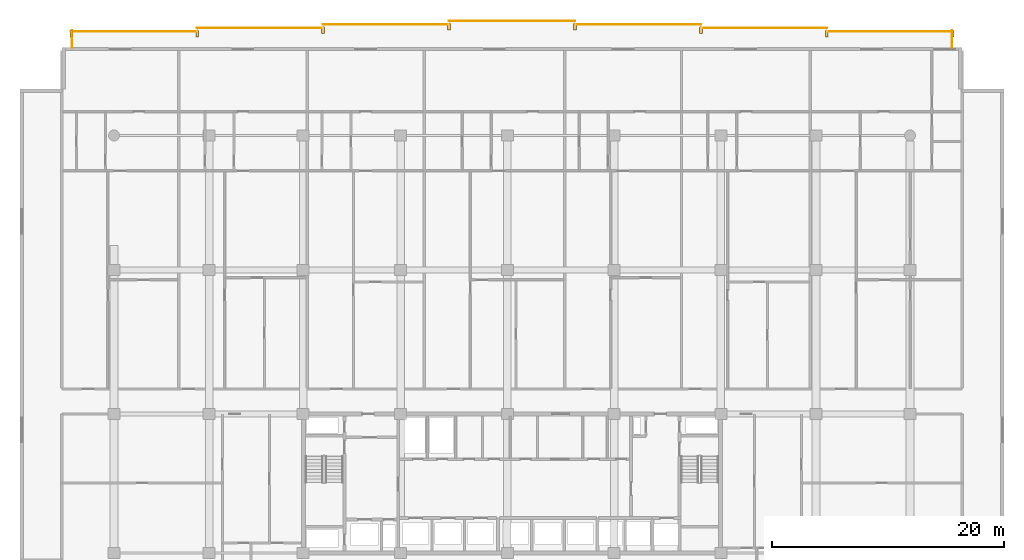
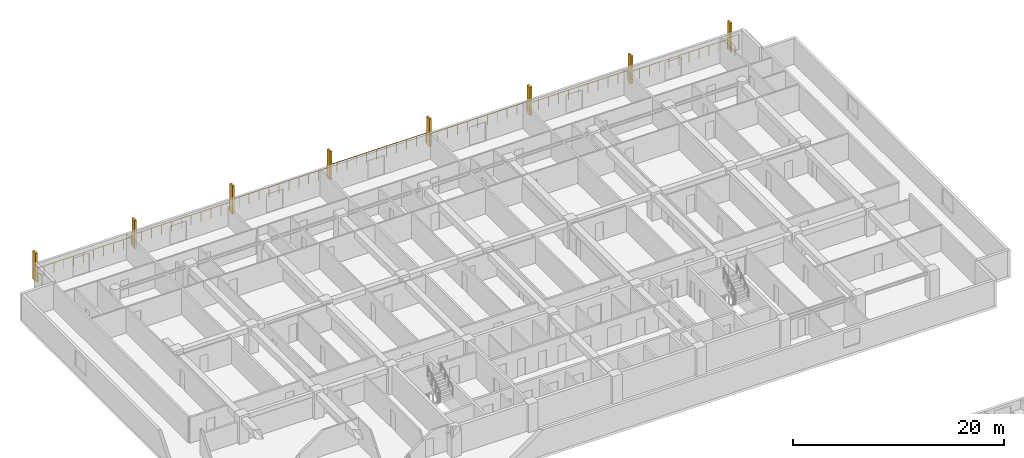
# One storey, part 23 of 23: 9 railings, 8 shading devices.
"""IFC4 building model written with IfcOpenShell, lengths in metres."""

from ifc_helpers import new_model, si_unit, direction, frame, origin, origin_2d, place, context, subcontext, project, spatial, rectangle, circle, extrude, material, type_object, element, save


model = new_model("IFC4")

# Units and contexts
model_context = context("Model", 3, precision=1e-05, world=origin(), true_north=direction((0.0, 1.0)))
body_context = subcontext(model_context, "Body", "Model", "MODEL_VIEW")
ifc_project = project(units=[si_unit("LENGTHUNIT", "METRE"), si_unit("AREAUNIT", "SQUARE_METRE"), si_unit("VOLUMEUNIT", "CUBIC_METRE"), si_unit("PLANEANGLEUNIT", "RADIAN"), si_unit("MASSUNIT", "GRAM", prefix="KILO")], contexts=[model_context])

# Site, building, storey
site_placement = place(None, origin())
site = spatial("IfcSite", under=ifc_project, at=site_placement, CompositionType="ELEMENT")
building_placement = place(site_placement, origin())
building = spatial("IfcBuilding", under=site, at=building_placement, Name="Korimba Cascade Residences", CompositionType="ELEMENT")
storey_placement = place(building_placement, frame((0.0, 0.0, 30.5)))
storey = spatial("IfcBuildingStorey", under=building, at=storey_placement, Name="L07", CompositionType="ELEMENT", Elevation=30.5)

# Railings
ifc_material_1 = material(Name="Laminated Glass and Bronze Balustrade", Category="glass")
railing_type = type_object("IfcRailingType", Name="RLG-LOG-1150", PredefinedType="BALUSTRADE", material=ifc_material_1)
railing_1_placement = place(storey_placement, frame((132.02001953125, 98.800048828125, 0.0)))
element("IfcRailing", 1, at=railing_1_placement, inside=storey, type_object=railing_type, Name="L07 Perimeter Guardrail RLG-L07-T1-LOG-01", PredefinedType="BALUSTRADE", context=body_context, shape_type="SweptSolid", body=[
    extrude(circle(Radius=0.02392578125, at=origin_2d()), frame((0.0, 0.0, 1.1259765625), z_axis=(0.0, 1.0, 0.0), x_axis=(-1.0, 0.0, 0.0)), (0.0, 0.0, 1.0), 1.449951171875),
    extrude(circle(Radius=0.02099609375, at=origin_2d()), origin(), (0.0, 0.0, 1.0), 1.101806640625),
    extrude(circle(Radius=0.02099609375, at=origin_2d()), frame((0.0, 0.72509765625, 0.0)), (0.0, 0.0, 1.0), 1.101806640625),
    extrude(circle(Radius=0.02099609375, at=origin_2d()), frame((0.0, 1.449951171875, 0.0)), (0.0, 0.0, 1.0), 1.101806640625),
])
for number, where, name in (
    (2, (132.10009765625, 100.169921875, 0.0), "L07 Perimeter Guardrail RLG-L07-T1-LOG-02"),
    (3, (121.242919921875, 100.469970703125, 0.0), "L07 Perimeter Guardrail RLG-L07-T1-LOG-03"),
    (4, (110.3857421875, 100.77001953125, 0.0), "L07 Perimeter Guardrail RLG-L07-T1-LOG-04"),
    (5, (99.528564453125, 101.070068359375, 0.0), "L07 Perimeter Guardrail RLG-L07-T1-LOG-05"),
    (6, (88.67138671875, 100.77001953125, 0.0), "L07 Perimeter Guardrail RLG-L07-T1-LOG-06"),
    (7, (77.814208984375, 100.469970703125, 0.0), "L07 Perimeter Guardrail RLG-L07-T1-LOG-07"),
):
    element("IfcRailing", number, at=place(storey_placement, frame(where)), inside=storey, type_object=railing_type, Name=name, PredefinedType="BALUSTRADE", context=body_context, shape_type="SweptSolid", body=[
        extrude(circle(Radius=0.02392578125, at=origin_2d()), frame((0.0, 0.0, 1.1259765625), z_axis=(-1.0, 0.0, 0.0), x_axis=(0.0, -1.0, 0.0)), (0.0, 0.0, 1.0), 10.857177734375),
        extrude(circle(Radius=0.02099609375, at=origin_2d()), origin(), (0.0, 0.0, 1.0), 1.101806640625),
        extrude(circle(Radius=0.02099609375, at=origin_2d()), frame((-1.085693359375, 0.0, 0.0)), (0.0, 0.0, 1.0), 1.101806640625),
        extrude(circle(Radius=0.02099609375, at=origin_2d()), frame((-2.17138671875, 0.0, 0.0)), (0.0, 0.0, 1.0), 1.101806640625),
        extrude(circle(Radius=0.02099609375, at=origin_2d()), frame((-3.257080078125, 0.0, 0.0)), (0.0, 0.0, 1.0), 1.101806640625),
        extrude(circle(Radius=0.02099609375, at=origin_2d()), frame((-4.3427734375, 0.0, 0.0)), (0.0, 0.0, 1.0), 1.101806640625),
        extrude(circle(Radius=0.02099609375, at=origin_2d()), frame((-5.4287109375, 0.0, 0.0)), (0.0, 0.0, 1.0), 1.101806640625),
        extrude(circle(Radius=0.02099609375, at=origin_2d()), frame((-6.514404296875, 0.0, 0.0)), (0.0, 0.0, 1.0), 1.101806640625),
        extrude(circle(Radius=0.02099609375, at=origin_2d()), frame((-7.60009765625, 0.0, 0.0)), (0.0, 0.0, 1.0), 1.101806640625),
        extrude(circle(Radius=0.02099609375, at=origin_2d()), frame((-8.685791015625, 0.0, 0.0)), (0.0, 0.0, 1.0), 1.101806640625),
        extrude(circle(Radius=0.02099609375, at=origin_2d()), frame((-9.771484375, 0.0, 0.0)), (0.0, 0.0, 1.0), 1.101806640625),
        extrude(circle(Radius=0.02099609375, at=origin_2d()), frame((-10.857177734375, 0.0, 0.0)), (0.0, 0.0, 1.0), 1.101806640625),
    ])
railing_2_placement = place(storey_placement, frame((66.95703125, 100.169921875, 0.0)))
element("IfcRailing", 8, at=railing_2_placement, inside=storey, type_object=railing_type, Name="L07 Perimeter Guardrail RLG-L07-T1-LOG-08", PredefinedType="BALUSTRADE", context=body_context, shape_type="SweptSolid", body=[
    extrude(circle(Radius=0.02392578125, at=origin_2d()), frame((0.0, 0.0, 1.1259765625), z_axis=(-1.0, 0.0, 0.0), x_axis=(0.0, -1.0, 0.0)), (0.0, 0.0, 1.0), 10.85693359375),
    extrude(circle(Radius=0.02099609375, at=origin_2d()), origin(), (0.0, 0.0, 1.0), 1.101806640625),
    extrude(circle(Radius=0.02099609375, at=origin_2d()), frame((-1.085693359375, 0.0, 0.0)), (0.0, 0.0, 1.0), 1.101806640625),
    extrude(circle(Radius=0.02099609375, at=origin_2d()), frame((-2.17138671875, 0.0, 0.0)), (0.0, 0.0, 1.0), 1.101806640625),
    extrude(circle(Radius=0.02099609375, at=origin_2d()), frame((-3.257080078125, 0.0, 0.0)), (0.0, 0.0, 1.0), 1.101806640625),
    extrude(circle(Radius=0.02099609375, at=origin_2d()), frame((-4.3427734375, 0.0, 0.0)), (0.0, 0.0, 1.0), 1.101806640625),
    extrude(circle(Radius=0.02099609375, at=origin_2d()), frame((-5.428466796875, 0.0, 0.0)), (0.0, 0.0, 1.0), 1.101806640625),
    extrude(circle(Radius=0.02099609375, at=origin_2d()), frame((-6.51416015625, 0.0, 0.0)), (0.0, 0.0, 1.0), 1.101806640625),
    extrude(circle(Radius=0.02099609375, at=origin_2d()), frame((-7.599853515625, 0.0, 0.0)), (0.0, 0.0, 1.0), 1.101806640625),
    extrude(circle(Radius=0.02099609375, at=origin_2d()), frame((-8.685546875, 0.0, 0.0)), (0.0, 0.0, 1.0), 1.101806640625),
    extrude(circle(Radius=0.02099609375, at=origin_2d()), frame((-9.771240234375, 0.0, 0.0)), (0.0, 0.0, 1.0), 1.101806640625),
    extrude(circle(Radius=0.02099609375, at=origin_2d()), frame((-10.85693359375, 0.0, 0.0)), (0.0, 0.0, 1.0), 1.101806640625),
])
railing_3_placement = place(storey_placement, frame((56.179931640625, 100.25, 0.0)))
element("IfcRailing", 9, at=railing_3_placement, inside=storey, type_object=railing_type, Name="L07 Perimeter Guardrail RLG-L07-T1-LOG-09", PredefinedType="BALUSTRADE", context=body_context, shape_type="SweptSolid", body=[
    extrude(circle(Radius=0.02392578125, at=origin_2d()), frame((0.0, 0.0, 1.1259765625), z_axis=(0.0, -1.0, 0.0), x_axis=(1.0, 0.0, 0.0)), (0.0, 0.0, 1.0), 1.449951171875),
    extrude(circle(Radius=0.02099609375, at=origin_2d()), origin(), (0.0, 0.0, 1.0), 1.101806640625),
    extrude(circle(Radius=0.02099609375, at=origin_2d()), frame((0.0, -0.72509765625, 0.0)), (0.0, 0.0, 1.0), 1.101806640625),
    extrude(circle(Radius=0.02099609375, at=origin_2d()), frame((0.0, -1.449951171875, 0.0)), (0.0, 0.0, 1.0), 1.101806640625),
])

# Shading devices
ifc_material_2 = material(Name="Honed Sandstone Precast Fin", Category="masonry")
shading_device_type = type_object("IfcShadingDeviceType", Name="SHD-FIN-550", PredefinedType="USERDEFINED", material=ifc_material_2)
for number, where, z_axis, x_axis, name in (
    (10, (56.10009765625, 99.97509765625, 0.0), (0.0, 0.0, 1.0), (1.0, 0.0, 0.0), "L07 T1 Warm-Stone Loggia Fin 1"),
    (11, (66.95703125, 99.97509765625, 0.0), (0.0, 0.0, 1.0), (1.0, 0.0, 0.0), "L07 T1 Warm-Stone Loggia Fin 2"),
    (12, (77.814208984375, 100.27490234375, 0.0), (0.0, 0.0, 1.0), (1.0, 0.0, 0.0), "L07 T1 Warm-Stone Loggia Fin 3"),
    (13, (88.67138671875, 100.574951171875, 0.0), (0.0, 0.0, 1.0), (1.0, 0.0, 0.0), "L07 T1 Warm-Stone Loggia Fin 4"),
    (14, (99.528564453125, 100.574951171875, 0.0), (0.0, 0.0, 1.0), (1.0, 0.0, 0.0), "L07 T1 Warm-Stone Loggia Fin 5"),
    (15, (110.3857421875, 100.27490234375, 0.0), (0.0, 0.0, 1.0), (1.0, 0.0, 0.0), "L07 T1 Warm-Stone Loggia Fin 6"),
    (16, (121.242919921875, 99.97509765625, 0.0), (0.0, 0.0, 1.0), (1.0, 0.0, 0.0), "L07 T1 Warm-Stone Loggia Fin 7"),
    (17, (132.10009765625, 99.97509765625, 0.0), (0.0, 0.0, 1.0), (1.0, 0.0, 0.0), "L07 T1 Warm-Stone Loggia Fin 8"),
):
    element("IfcShadingDevice", number, at=place(storey_placement, frame(where, z_axis=z_axis, x_axis=x_axis)), inside=storey, type_object=shading_device_type, Name=name, ObjectType="FIN", PredefinedType="USERDEFINED", context=body_context, shape_type="SweptSolid", body=[
        extrude(rectangle(XDim=0.219970703125, YDim=0.550048828125, at=origin_2d()), origin(), (0.0, 0.0, 1.0), 3.25),
    ])

save(model, "model.ifc")
